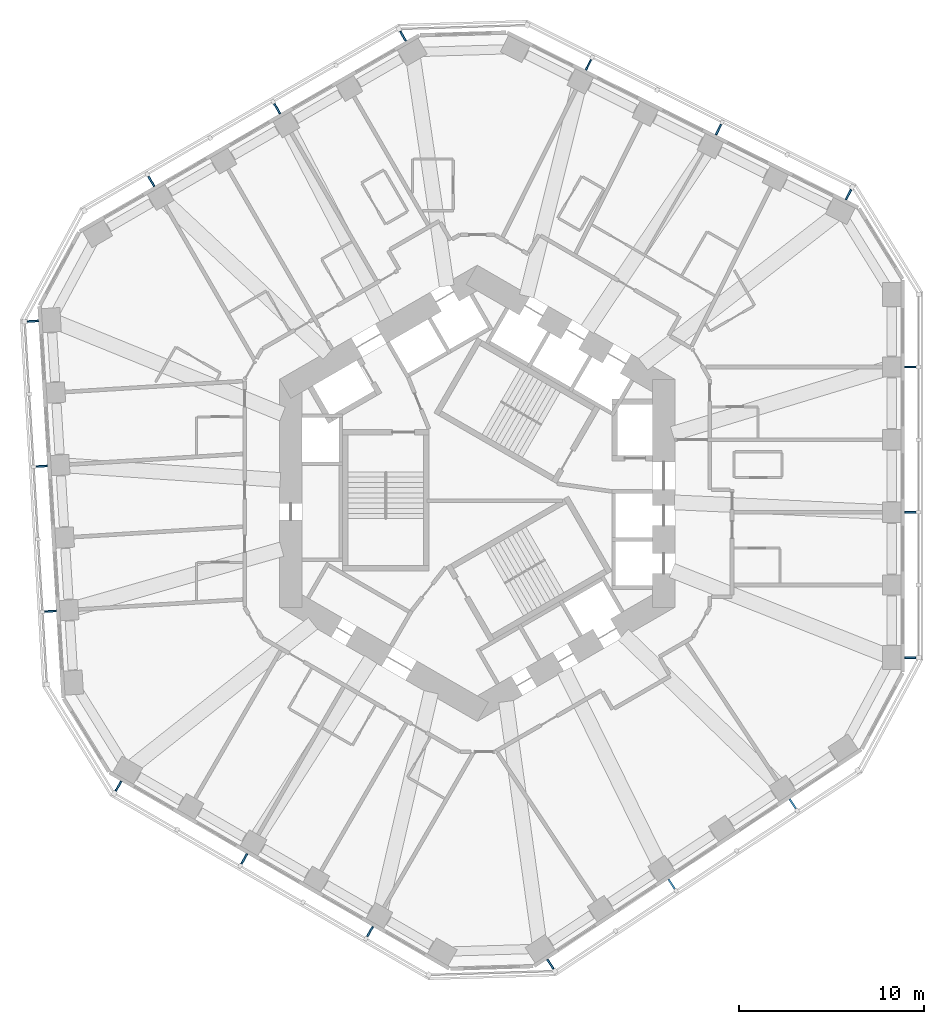
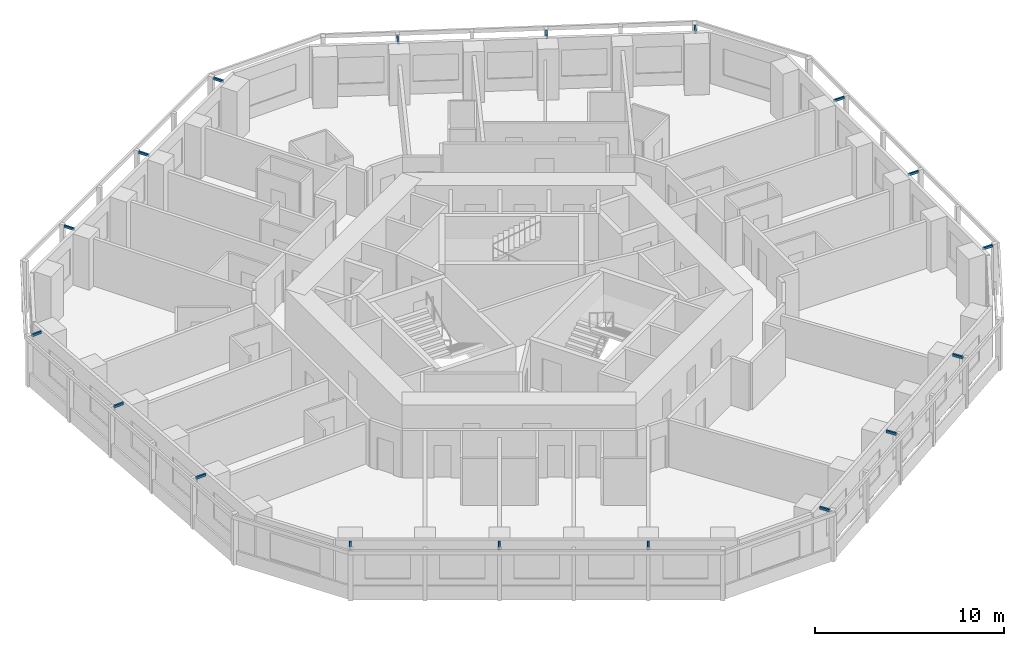
# One storey, part 11 of 12: 18 discrete accessories.
"""IFC4 building model written with IfcOpenShell, lengths in metres."""

from ifc_helpers import new_model, si_unit, direction, frame, origin, origin_2d, place, context, subcontext, project, spatial, rectangle, extrude, material, type_object, element, save


model = new_model("IFC4")

# Units and contexts
model_context = context("Model", 3, precision=1e-05, world=origin(), true_north=direction((0.0, 1.0)))
body_context = subcontext(model_context, "Body", "Model", "MODEL_VIEW")
ifc_project = project(units=[si_unit("LENGTHUNIT", "METRE"), si_unit("AREAUNIT", "SQUARE_METRE"), si_unit("VOLUMEUNIT", "CUBIC_METRE"), si_unit("PLANEANGLEUNIT", "RADIAN"), si_unit("MASSUNIT", "GRAM", prefix="KILO")], contexts=[model_context])

# Site, building, storey
site_placement = place(None, origin())
site = spatial("IfcSite", under=ifc_project, at=site_placement, CompositionType="ELEMENT")
building_placement = place(site_placement, origin())
building = spatial("IfcBuilding", under=site, at=building_placement, Name="Vanh Sen Convention Tower", CompositionType="ELEMENT")
storey_placement = place(building_placement, frame((0.0, 0.0, 93.5)))
storey = spatial("IfcBuildingStorey", under=building, at=storey_placement, Name="L21", CompositionType="ELEMENT", Elevation=93.5)

# Discrete accessories
ifc_material = material(Name="Steel S355", Category="steel")
discrete_accessory_type = type_object("IfcDiscreteAccessoryType", Name="Fin bracket 100 x 150", PredefinedType="BRACKET", material=ifc_material)
discrete_accessory_1_placement = place(storey_placement, frame((23.449951171875, -8.899169921875, 3.10009765625), z_axis=(0.0, 0.0, 1.0), x_axis=(1.0, 0.0, 0.0)))
element("IfcDiscreteAccessory", 1, at=discrete_accessory_1_placement, inside=storey, type_object=discrete_accessory_type, Name="Fin bracket E-1 L21", PredefinedType="BRACKET", context=body_context, shape_type="SweptSolid", body=[
    extrude(rectangle(XDim=0.60009765625, YDim=0.10009765625, at=origin_2d()), origin(), (0.0, 0.0, 1.0), 0.14990234375),
])
for number, where, z_axis, x_axis, name in (
    (2, (23.46240234375, -1.030029296875, 3.10009765625), (0.0, 0.0, 1.0), (1.0, 0.0, 0.0), "Fin bracket E-3 L21"),
    (3, (23.46240234375, 6.839111328125, 3.10009765625), (0.0, 0.0, 1.0), (1.0, 0.0, 0.0), "Fin bracket E-5 L21"),
):
    element("IfcDiscreteAccessory", number, at=place(storey_placement, frame(where, z_axis=z_axis, x_axis=x_axis)), inside=storey, type_object=discrete_accessory_type, Name=name, PredefinedType="BRACKET", context=body_context, shape_type="SweptSolid", body=[
        extrude(rectangle(XDim=0.625, YDim=0.10009765625, at=origin_2d()), origin(), (0.0, 0.0, 1.0), 0.14990234375),
    ])
discrete_accessory_2_placement = place(storey_placement, frame((20.10498046875, 16.178955078125, 3.10009765625), z_axis=(0.0, 0.0, 1.0), x_axis=(0.44619781311, 0.894934361602, 0.0)))
element("IfcDiscreteAccessory", 4, at=discrete_accessory_2_placement, inside=storey, type_object=discrete_accessory_type, Name="Fin bracket NE-1 L21", PredefinedType="BRACKET", context=body_context, shape_type="SweptSolid", body=[
    extrude(rectangle(XDim=0.60009765625, YDim=0.10009765625, at=origin_2d()), origin(), (0.0, 0.0, 1.0), 0.14990234375),
])
for number, where, z_axis, x_axis, name in (
    (5, (13.068359375, 19.701416015625, 3.10009765625), (0.0, 0.0, 1.0), (0.44619781311, 0.894934361602, 0.0), "Fin bracket NE-3 L21"),
    (6, (6.02587890625, 23.212646484375, 3.10009765625), (0.0, 0.0, 1.0), (0.44619781311, 0.894934361602, 0.0), "Fin bracket NE-5 L21"),
):
    element("IfcDiscreteAccessory", number, at=place(storey_placement, frame(where, z_axis=z_axis, x_axis=x_axis)), inside=storey, type_object=discrete_accessory_type, Name=name, PredefinedType="BRACKET", context=body_context, shape_type="SweptSolid", body=[
        extrude(rectangle(XDim=0.625, YDim=0.10009765625, at=origin_2d()), origin(), (0.0, 0.0, 1.0), 0.14990234375),
    ])
discrete_accessory_3_placement = place(storey_placement, frame((-4.01806640625, 24.7578125, 3.10009765625), z_axis=(0.0, 0.0, 1.0), x_axis=(-0.5, 0.866025403784, 0.0)))
element("IfcDiscreteAccessory", 7, at=discrete_accessory_3_placement, inside=storey, type_object=discrete_accessory_type, Name="Fin bracket NW-1 L21", PredefinedType="BRACKET", context=body_context, shape_type="SweptSolid", body=[
    extrude(rectangle(XDim=0.60009765625, YDim=0.10009765625, at=origin_2d()), origin(), (0.0, 0.0, 1.0), 0.14990234375),
])
for number, where, z_axis, x_axis, name in (
    (8, (-10.839111328125, 20.834228515625, 3.10009765625), (0.0, 0.0, 1.0), (-0.5, 0.866025403784, 0.0), "Fin bracket NW-3 L21"),
    (9, (-17.654296875, 16.899658203125, 3.10009765625), (0.0, 0.0, 1.0), (-0.5, 0.866025403784, 0.0), "Fin bracket NW-5 L21"),
):
    element("IfcDiscreteAccessory", number, at=place(storey_placement, frame(where, z_axis=z_axis, x_axis=x_axis)), inside=storey, type_object=discrete_accessory_type, Name=name, PredefinedType="BRACKET", context=body_context, shape_type="SweptSolid", body=[
        extrude(rectangle(XDim=0.625, YDim=0.10009765625, at=origin_2d()), origin(), (0.0, 0.0, 1.0), 0.14990234375),
    ])
discrete_accessory_4_placement = place(storey_placement, frame((-24.06396484375, 9.322021484375, 3.10009765625), z_axis=(0.0, 0.0, 1.0), x_axis=(-0.998134798422, -0.061048539535, 0.0)))
element("IfcDiscreteAccessory", 10, at=discrete_accessory_4_placement, inside=storey, type_object=discrete_accessory_type, Name="Fin bracket W-1 L21", PredefinedType="BRACKET", context=body_context, shape_type="SweptSolid", body=[
    extrude(rectangle(XDim=0.60009765625, YDim=0.10009765625, at=origin_2d()), origin(), (0.0, 0.0, 1.0), 0.14990234375),
])
for number, where, z_axis, x_axis, name in (
    (11, (-23.595947265625, 1.466796875, 3.10009765625), (0.0, 0.0, 1.0), (-0.998134798422, -0.061048539535, 0.0), "Fin bracket W-3 L21"),
    (12, (-23.115478515625, -6.3876953125, 3.10009765625), (0.0, 0.0, 1.0), (-0.998134798422, -0.061048539535, 0.0), "Fin bracket W-5 L21"),
):
    element("IfcDiscreteAccessory", number, at=place(storey_placement, frame(where, z_axis=z_axis, x_axis=x_axis)), inside=storey, type_object=discrete_accessory_type, Name=name, PredefinedType="BRACKET", context=body_context, shape_type="SweptSolid", body=[
        extrude(rectangle(XDim=0.625, YDim=0.10009765625, at=origin_2d()), origin(), (0.0, 0.0, 1.0), 0.14990234375),
    ])
discrete_accessory_5_placement = place(storey_placement, frame((-19.431884765625, -15.858642578125, 3.10009765625), z_axis=(0.0, 0.0, 1.0), x_axis=(-0.5, -0.866025403784, 0.0)))
element("IfcDiscreteAccessory", 13, at=discrete_accessory_5_placement, inside=storey, type_object=discrete_accessory_type, Name="Fin bracket SW-1 L21", PredefinedType="BRACKET", context=body_context, shape_type="SweptSolid", body=[
    extrude(rectangle(XDim=0.60009765625, YDim=0.10009765625, at=origin_2d()), origin(), (0.0, 0.0, 1.0), 0.14990234375),
])
for number, where, z_axis, x_axis, name in (
    (14, (-12.623291015625, -19.80419921875, 3.10009765625), (0.0, 0.0, 1.0), (-0.5, -0.866025403784, 0.0), "Fin bracket SW-3 L21"),
    (15, (-5.808349609375, -23.73876953125, 3.10009765625), (0.0, 0.0, 1.0), (-0.5, -0.866025403784, 0.0), "Fin bracket SW-5 L21"),
):
    element("IfcDiscreteAccessory", number, at=place(storey_placement, frame(where, z_axis=z_axis, x_axis=x_axis)), inside=storey, type_object=discrete_accessory_type, Name=name, PredefinedType="BRACKET", context=body_context, shape_type="SweptSolid", body=[
        extrude(rectangle(XDim=0.625, YDim=0.10009765625, at=origin_2d()), origin(), (0.0, 0.0, 1.0), 0.14990234375),
    ])
discrete_accessory_6_placement = place(storey_placement, frame((3.958740234375, -25.5009765625, 3.10009765625), z_axis=(0.0, 0.0, 1.0), x_axis=(0.551936985312, -0.833885822067, 0.0)))
element("IfcDiscreteAccessory", 16, at=discrete_accessory_6_placement, inside=storey, type_object=discrete_accessory_type, Name="Fin bracket SE-1 L21", PredefinedType="BRACKET", context=body_context, shape_type="SweptSolid", body=[
    extrude(rectangle(XDim=0.60009765625, YDim=0.10009765625, at=origin_2d()), origin(), (0.0, 0.0, 1.0), 0.14990234375),
])
for number, where, z_axis, x_axis, name in (
    (17, (10.527587890625, -21.168212890625, 3.10009765625), (0.0, 0.0, 1.0), (0.551936985312, -0.833885822067, 0.0), "Fin bracket SE-3 L21"),
    (18, (17.089599609375, -16.824951171875, 3.10009765625), (0.0, 0.0, 1.0), (0.551936985312, -0.833885822067, 0.0), "Fin bracket SE-5 L21"),
):
    element("IfcDiscreteAccessory", number, at=place(storey_placement, frame(where, z_axis=z_axis, x_axis=x_axis)), inside=storey, type_object=discrete_accessory_type, Name=name, PredefinedType="BRACKET", context=body_context, shape_type="SweptSolid", body=[
        extrude(rectangle(XDim=0.625, YDim=0.10009765625, at=origin_2d()), origin(), (0.0, 0.0, 1.0), 0.14990234375),
    ])

save(model, "model.ifc")
